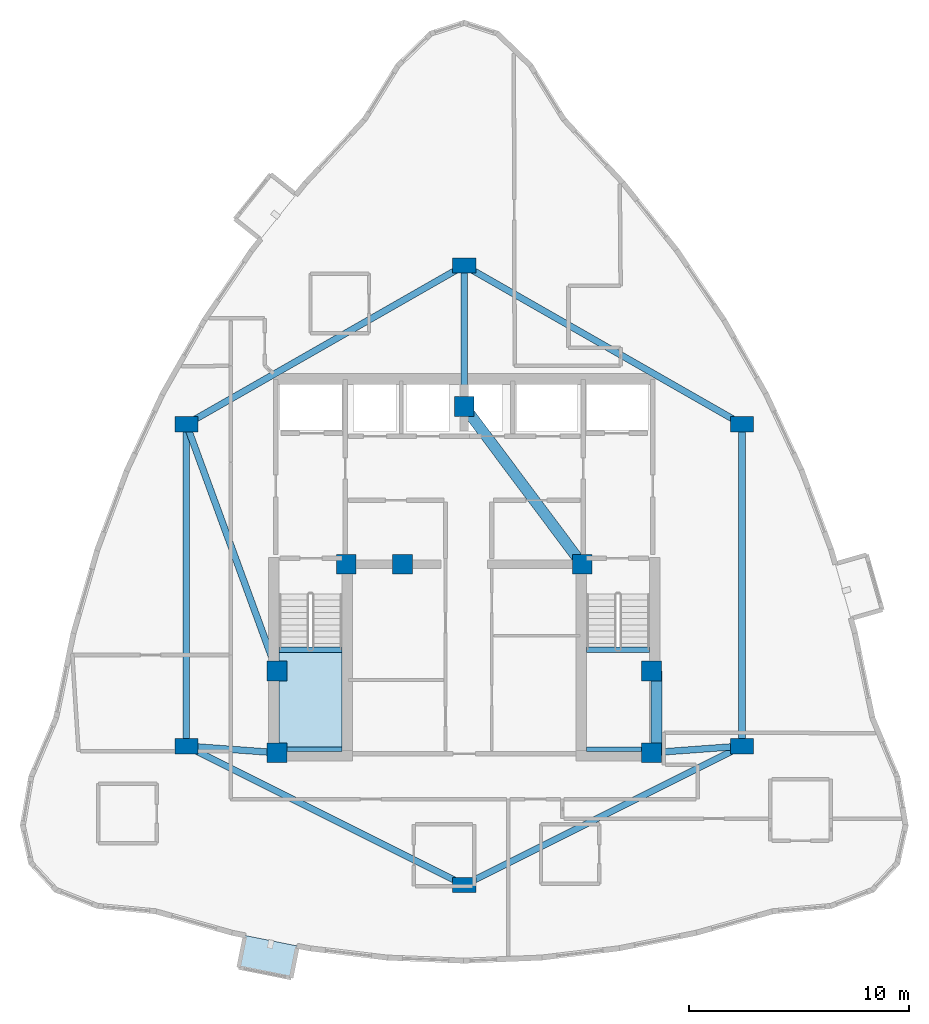
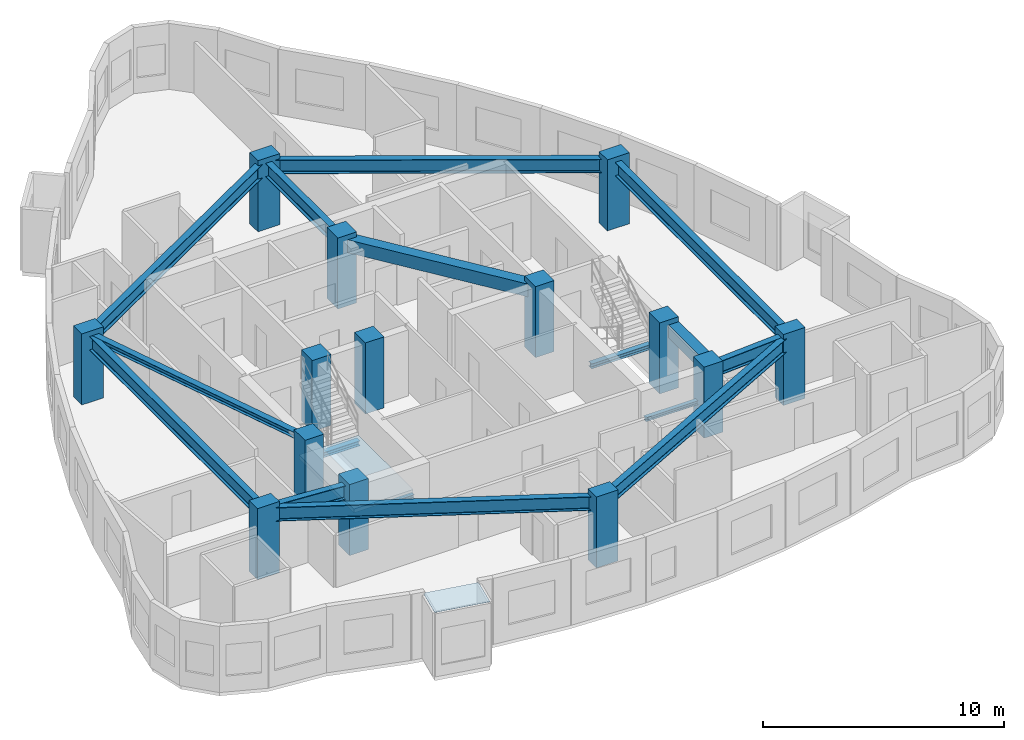
# One storey, part 1 of 12: 16 beams, 14 columns, 1 plate, 1 slab, 1 element without a shape of its own.
"""IFC4 building model written with IfcOpenShell, lengths in metres."""

from ifc_helpers import new_model, si_unit, direction, frame, origin, origin_2d, place, context, subcontext, project, spatial, polyline, rectangle, i_section, outline, extrude, material, layer, layer_set, material_profile, profile_set, type_object, element, aggregate, save


model = new_model("IFC4")

# Units and contexts
model_context = context("Model", 3, precision=1e-05, world=origin(), true_north=direction((0.0, 1.0)))
body_context = subcontext(model_context, "Body", "Model", "MODEL_VIEW")
ifc_project = project(units=[si_unit("LENGTHUNIT", "METRE"), si_unit("AREAUNIT", "SQUARE_METRE"), si_unit("VOLUMEUNIT", "CUBIC_METRE"), si_unit("PLANEANGLEUNIT", "RADIAN"), si_unit("MASSUNIT", "GRAM", prefix="KILO")], contexts=[model_context])

# Site, building, storey
site_placement = place(None, origin())
site = spatial("IfcSite", under=ifc_project, at=site_placement, CompositionType="ELEMENT")
building_placement = place(site_placement, origin())
building = spatial("IfcBuilding", under=site, at=building_placement, Name="Miruveldt Soraemaru", CompositionType="ELEMENT")
storey_placement = place(building_placement, frame((0.0, 0.0, 219.60009765625)))
storey = spatial("IfcBuildingStorey", under=building, at=storey_placement, Name="L60", CompositionType="ELEMENT", Elevation=219.60009765625)

# Columns
ifc_material_1 = material(Name="Concrete C50/60 (50 MPa)", Category="concrete")
ifc_material_profile_1 = material_profile(ifc_material_1, rectangle(XDim=0.89990234375, YDim=0.89990234375, at=origin_2d()), Name="Concrete C50/60 (50 MPa)", Category="concrete")
ifc_profile_set_1 = profile_set([ifc_material_profile_1], Name="Concrete C50/60 (50 MPa)")
column_type_1 = type_object("IfcColumnType", Name="COL-CORE-900", PredefinedType="COLUMN", material=ifc_profile_set_1)
for number, where, z_axis, x_axis, name in (
    (1, (35.5, 35.5, 0.0), (0.0, 0.0, 1.0), (1.0, 0.0, 0.0), "L60 Structural Column CC1"),
    (2, (38.64990234375, 44.050048828125, 0.0), (0.0, 0.0, 1.0), (1.0, 0.0, 0.0), "L60 Structural Column CC2"),
    (3, (52.5, 35.5, 0.0), (0.0, 0.0, 1.0), (1.0, 0.0, 0.0), "L60 Structural Column CC3"),
    (4, (52.5, 39.199951171875, 0.0), (0.0, 0.0, 1.0), (1.0, 0.0, 0.0), "L60 Structural Column CC4"),
    (5, (49.35009765625, 44.050048828125, 0.0), (0.0, 0.0, 1.0), (1.0, 0.0, 0.0), "L60 Structural Column CC5"),
    (6, (44.0, 51.199951171875, 0.0), (0.0, 0.0, 1.0), (1.0, 0.0, 0.0), "L60 Structural Column CC6"),
    (7, (35.5, 39.199951171875, 0.0), (0.0, 0.0, 1.0), (1.0, 0.0, 0.0), "L60 Structural Column CC7"),
    (8, (41.199951171875, 44.050048828125, 0.0), (0.0, 0.0, 1.0), (1.0, 0.0, 0.0), "L60 Structural Column CC8"),
):
    element("IfcColumn", number, at=place(storey_placement, frame(where, z_axis=z_axis, x_axis=x_axis)), inside=storey, type_object=column_type_1, Name=name, PredefinedType="COLUMN", context=body_context, shape_type="SweptSolid", body=[
        extrude(rectangle(XDim=0.89990234375, YDim=0.89990234375, at=origin_2d()), origin(), (0.0, 0.0, 1.0), 3.599853515625),
    ])
ifc_material_2 = material(Name="Concrete C60/75 (60 MPa)", Category="concrete")
ifc_material_profile_2 = material_profile(ifc_material_2, rectangle(XDim=1.050048828125, YDim=0.699951171875, at=origin_2d()), Name="Concrete C60/75 (60 MPa)", Category="concrete")
ifc_profile_set_2 = profile_set([ifc_material_profile_2], Name="Concrete C60/75 (60 MPa)")
column_type_2 = type_object("IfcColumnType", Name="COL-TW-Z3", PredefinedType="COLUMN", material=ifc_profile_set_2)
for number, where, z_axis, x_axis, name in (
    (9, (44.0, 57.60009765625, 0.0), (0.0, 0.0, 1.0), (1.0, 0.0, 0.0), "L60 Structural Column IR01"),
    (10, (56.60009765625, 50.39990234375, 0.0), (0.0, 0.0, 1.0), (1.0, 0.0, 0.0), "L60 Structural Column IR02"),
    (11, (56.60009765625, 35.800048828125, 0.0), (0.0, 0.0, 1.0), (1.0, 0.0, 0.0), "L60 Structural Column IR03"),
    (12, (44.0, 29.5, 0.0), (0.0, 0.0, 1.0), (1.0, 0.0, 0.0), "L60 Structural Column IR04"),
    (13, (31.39990234375, 35.800048828125, 0.0), (0.0, 0.0, 1.0), (1.0, 0.0, 0.0), "L60 Structural Column IR05"),
    (14, (31.39990234375, 50.39990234375, 0.0), (0.0, 0.0, 1.0), (1.0, 0.0, 0.0), "L60 Structural Column IR06"),
):
    element("IfcColumn", number, at=place(storey_placement, frame(where, z_axis=z_axis, x_axis=x_axis)), inside=storey, type_object=column_type_2, Name=name, PredefinedType="COLUMN", context=body_context, shape_type="SweptSolid", body=[
        extrude(rectangle(XDim=1.050048828125, YDim=0.699951171875, at=origin_2d()), origin(), (0.0, 0.0, 1.0), 3.599853515625),
    ])

# Beams
ifc_material_3 = material(Name="Steel SM355 (355 MPa)", Category="steel")
ifc_material_profile_3 = material_profile(ifc_material_3, i_section(OverallWidth=0.300048828125, OverallDepth=0.300048828125, WebThickness=0.010009765625, FlangeThickness=0.014892578125, FilletRadius=0.01806640625, at=origin_2d()), Name="Steel SM355 (355 MPa)", Category="steel")
ifc_profile_set_3 = profile_set([ifc_material_profile_3], Name="Steel SM355 (355 MPa)")
beam_type_1 = type_object("IfcBeamType", Name="BM-LNT-H300", PredefinedType="LINTEL", material=ifc_profile_set_3)
beam_1_placement = place(storey_placement, frame((31.39990234375, 50.39990234375, 3.19482421875), z_axis=(0.343770424598, -0.939053723262, 0.0), x_axis=(0.939053723262, 0.343770424598, 0.0)))
element("IfcBeam", 15, at=beam_1_placement, inside=storey, type_object=beam_type_1, Name="L60 West Lobby Lintel", PredefinedType="LINTEL", context=body_context, shape_type="SweptSolid", body=[
    extrude(i_section(OverallWidth=0.300048828125, OverallDepth=0.300048828125, WebThickness=0.010009765625, FlangeThickness=0.014892578125, FilletRadius=0.01806640625, at=origin_2d()), origin(), (0.0, 0.0, 1.0), 11.9267578125),
])
ifc_material_profile_4 = material_profile(ifc_material_1, rectangle(XDim=0.5, YDim=0.64990234375, at=origin_2d()), Name="Concrete C50/60 (50 MPa)", Category="concrete")
ifc_profile_set_4 = profile_set([ifc_material_profile_4], Name="Concrete C50/60 (50 MPa)")
beam_type_2 = type_object("IfcBeamType", Name="BM-RC-500x650", PredefinedType="BEAM", material=ifc_profile_set_4)
beam_2_placement = place(storey_placement, frame((52.72998046875, 35.5, 3.02001953125), z_axis=(0.0, 1.0, 0.0), x_axis=(-1.0, 0.0, 0.0)))
element("IfcBeam", 16, at=beam_2_placement, inside=storey, type_object=beam_type_2, Name="L60 Core Tie Beam 3", PredefinedType="BEAM", context=body_context, shape_type="SweptSolid", body=[
    extrude(rectangle(XDim=0.5, YDim=0.64990234375, at=origin_2d()), origin(), (0.0, 0.0, 1.0), 3.699951171875),
])
beam_3_placement = place(storey_placement, frame((49.35009765625, 44.050048828125, 3.02001953125), z_axis=(-0.599116023999, 0.800662219533, 0.0), x_axis=(-0.800662219533, -0.599116023999, 0.0)))
element("IfcBeam", 17, at=beam_3_placement, inside=storey, type_object=beam_type_2, Name="L60 Core Tie Beam 5", PredefinedType="BEAM", context=body_context, shape_type="SweptSolid", body=[
    extrude(rectangle(XDim=0.5, YDim=0.64990234375, at=origin_2d()), origin(), (0.0, 0.0, 1.0), 8.929931640625),
])
ifc_material_profile_5 = material_profile(ifc_material_3, i_section(OverallWidth=0.300048828125, OverallDepth=0.699951171875, WebThickness=0.012939453125, FlangeThickness=0.02392578125, FilletRadius=0.028076171875, at=origin_2d()), Name="Steel SM355 (355 MPa)", Category="steel")
ifc_profile_set_5 = profile_set([ifc_material_profile_5], Name="Steel SM355 (355 MPa)")
beam_type_3 = type_object("IfcBeamType", Name="BM-ST-H700", PredefinedType="BEAM", material=ifc_profile_set_5)
beam_4_placement = place(storey_placement, frame((44.0, 57.60009765625, 2.994873046875), z_axis=(0.868239001029, -0.496146185203, 0.0), x_axis=(0.496146185203, 0.868239001029, 0.0)))
element("IfcBeam", 18, at=beam_4_placement, inside=storey, type_object=beam_type_3, Name="L60 Inner Ring Girder 1", PredefinedType="BEAM", context=body_context, shape_type="SweptSolid", body=[
    extrude(i_section(OverallWidth=0.300048828125, OverallDepth=0.699951171875, WebThickness=0.012939453125, FlangeThickness=0.02392578125, FilletRadius=0.028076171875, at=origin_2d()), origin(), (0.0, 0.0, 1.0), 14.51220703125),
])
beam_5_placement = place(storey_placement, frame((44.0, 51.199951171875, 2.994873046875), z_axis=(0.0, 1.0, 0.0), x_axis=(-1.0, 0.0, 0.0)))
element("IfcBeam", 19, at=beam_5_placement, inside=storey, type_object=beam_type_3, Name="L60 Core-to-Inner Radial Girder 1", PredefinedType="BEAM", context=body_context, shape_type="SweptSolid", body=[
    extrude(i_section(OverallWidth=0.300048828125, OverallDepth=0.699951171875, WebThickness=0.012939453125, FlangeThickness=0.02392578125, FilletRadius=0.028076171875, at=origin_2d()), origin(), (0.0, 0.0, 1.0), 6.400146484375),
])
beam_6_placement = place(storey_placement, frame((56.60009765625, 50.39990234375, 2.994873046875), z_axis=(0.0, -1.0, 0.0), x_axis=(1.0, 0.0, 0.0)))
element("IfcBeam", 20, at=beam_6_placement, inside=storey, type_object=beam_type_3, Name="L60 Inner Ring Girder 2", PredefinedType="BEAM", context=body_context, shape_type="SweptSolid", body=[
    extrude(i_section(OverallWidth=0.300048828125, OverallDepth=0.699951171875, WebThickness=0.012939453125, FlangeThickness=0.02392578125, FilletRadius=0.028076171875, at=origin_2d()), origin(), (0.0, 0.0, 1.0), 14.599853515625),
])
beam_7_placement = place(storey_placement, frame((56.60009765625, 35.800048828125, 2.994873046875), z_axis=(-0.894427191, -0.4472135955, 0.0), x_axis=(0.4472135955, -0.894427191, 0.0)))
element("IfcBeam", 21, at=beam_7_placement, inside=storey, type_object=beam_type_3, Name="L60 Inner Ring Girder 3", PredefinedType="BEAM", context=body_context, shape_type="SweptSolid", body=[
    extrude(i_section(OverallWidth=0.300048828125, OverallDepth=0.699951171875, WebThickness=0.012939453125, FlangeThickness=0.02392578125, FilletRadius=0.028076171875, at=origin_2d()), origin(), (0.0, 0.0, 1.0), 14.08740234375),
])
beam_8_placement = place(storey_placement, frame((52.5, 35.5, 2.994873046875), z_axis=(0.997332985605, 0.072985723431, 0.0), x_axis=(-0.072985723431, 0.997332985605, 0.0)))
element("IfcBeam", 22, at=beam_8_placement, inside=storey, type_object=beam_type_3, Name="L60 Core-to-Inner Radial Girder 3", PredefinedType="BEAM", context=body_context, shape_type="SweptSolid", body=[
    extrude(i_section(OverallWidth=0.300048828125, OverallDepth=0.699951171875, WebThickness=0.012939453125, FlangeThickness=0.02392578125, FilletRadius=0.028076171875, at=origin_2d()), origin(), (0.0, 0.0, 1.0), 4.111083984375),
])
beam_9_placement = place(storey_placement, frame((44.0, 29.5, 2.994873046875), z_axis=(-0.894427191, 0.4472135955, 0.0), x_axis=(-0.4472135955, -0.894427191, 0.0)))
element("IfcBeam", 23, at=beam_9_placement, inside=storey, type_object=beam_type_3, Name="L60 Inner Ring Girder 4", PredefinedType="BEAM", context=body_context, shape_type="SweptSolid", body=[
    extrude(i_section(OverallWidth=0.300048828125, OverallDepth=0.699951171875, WebThickness=0.012939453125, FlangeThickness=0.02392578125, FilletRadius=0.028076171875, at=origin_2d()), origin(), (0.0, 0.0, 1.0), 14.08740234375),
])
beam_10_placement = place(storey_placement, frame((31.39990234375, 35.800048828125, 2.994873046875), z_axis=(0.0, 1.0, 0.0), x_axis=(-1.0, 0.0, 0.0)))
element("IfcBeam", 24, at=beam_10_placement, inside=storey, type_object=beam_type_3, Name="L60 Inner Ring Girder 5", PredefinedType="BEAM", context=body_context, shape_type="SweptSolid", body=[
    extrude(i_section(OverallWidth=0.300048828125, OverallDepth=0.699951171875, WebThickness=0.012939453125, FlangeThickness=0.02392578125, FilletRadius=0.028076171875, at=origin_2d()), origin(), (0.0, 0.0, 1.0), 14.599853515625),
])
beam_11_placement = place(storey_placement, frame((35.5, 35.5, 2.994873046875), z_axis=(-0.997332985605, 0.072985723431, 0.0), x_axis=(-0.072985723431, -0.997332985605, 0.0)))
element("IfcBeam", 25, at=beam_11_placement, inside=storey, type_object=beam_type_3, Name="L60 Core-to-Inner Radial Girder 5", PredefinedType="BEAM", context=body_context, shape_type="SweptSolid", body=[
    extrude(i_section(OverallWidth=0.300048828125, OverallDepth=0.699951171875, WebThickness=0.012939453125, FlangeThickness=0.02392578125, FilletRadius=0.028076171875, at=origin_2d()), origin(), (0.0, 0.0, 1.0), 4.111083984375),
])
beam_12_placement = place(storey_placement, frame((31.39990234375, 50.39990234375, 2.994873046875), z_axis=(0.868239001029, 0.496146185203, 0.0), x_axis=(-0.496146185203, 0.868239001029, 0.0)))
element("IfcBeam", 26, at=beam_12_placement, inside=storey, type_object=beam_type_3, Name="L60 Inner Ring Girder 6", PredefinedType="BEAM", context=body_context, shape_type="SweptSolid", body=[
    extrude(i_section(OverallWidth=0.300048828125, OverallDepth=0.699951171875, WebThickness=0.012939453125, FlangeThickness=0.02392578125, FilletRadius=0.028076171875, at=origin_2d()), origin(), (0.0, 0.0, 1.0), 14.51220703125),
])
ifc_material_profile_6 = material_profile(ifc_material_3, i_section(OverallWidth=0.199951171875, OverallDepth=0.199951171875, WebThickness=0.008056640625, FlangeThickness=0.011962890625, FilletRadius=0.012939453125, at=origin_2d()), Name="Steel SM355 (355 MPa)", Category="steel")
ifc_profile_set_6 = profile_set([ifc_material_profile_6], Name="Steel SM355 (355 MPa)")
beam_type_4 = type_object("IfcBeamType", Name="BM-ST-LND200", PredefinedType="BEAM", material=ifc_profile_set_6)
for number, where, z_axis, x_axis, name in (
    (27, (35.60009765625, 35.64990234375, 1.5), (1.0, 0.0, 0.0), (0.0, 1.0, 0.0), "L60 ST1 Landing End Beam 1B"),
    (28, (49.550048828125, 35.64990234375, 1.5), (1.0, 0.0, 0.0), (0.0, 1.0, 0.0), "L60 ST2 Landing End Beam 1B"),
):
    element("IfcBeam", number, at=place(storey_placement, frame(where, z_axis=z_axis, x_axis=x_axis)), inside=storey, type_object=beam_type_4, Name=name, PredefinedType="BEAM", context=body_context, shape_type="SweptSolid", body=[
        extrude(i_section(OverallWidth=0.199951171875, OverallDepth=0.199951171875, WebThickness=0.008056640625, FlangeThickness=0.011962890625, FilletRadius=0.012939453125, at=origin_2d()), origin(), (0.0, 0.0, 1.0), 2.849853515625),
    ])
ifc_material_profile_7 = material_profile(ifc_material_3, i_section(OverallWidth=0.25, OverallDepth=0.25, WebThickness=0.009033203125, FlangeThickness=0.013916015625, FilletRadius=0.01611328125, at=origin_2d()), Name="Steel SM355 (355 MPa)", Category="steel")
ifc_profile_set_7 = profile_set([ifc_material_profile_7], Name="Steel SM355 (355 MPa)")
beam_type_5 = type_object("IfcBeamType", Name="BM-ST-LND250", PredefinedType="BEAM", material=ifc_profile_set_7)
for number, where, z_axis, x_axis, name in (
    (29, (35.60009765625, 40.179931640625, 1.474853515625), (1.0, 0.0, 0.0), (0.0, 1.0, 0.0), "L60 ST1 Landing Support Beam 1A"),
    (30, (49.550048828125, 40.179931640625, 1.474853515625), (1.0, 0.0, 0.0), (0.0, 1.0, 0.0), "L60 ST2 Landing Support Beam 1A"),
):
    element("IfcBeam", number, at=place(storey_placement, frame(where, z_axis=z_axis, x_axis=x_axis)), inside=storey, type_object=beam_type_5, Name=name, PredefinedType="BEAM", context=body_context, shape_type="SweptSolid", body=[
        extrude(i_section(OverallWidth=0.25, OverallDepth=0.25, WebThickness=0.009033203125, FlangeThickness=0.013916015625, FilletRadius=0.01611328125, at=origin_2d()), origin(), (0.0, 0.0, 1.0), 2.849853515625),
    ])

# Plate
ifc_material_4 = material(Name="Standing-seam titanium-zinc sheet", Category="aluminium")
ifc_layer_1 = layer(ifc_material_4, 0.011962890625, Name="Standing-seam titanium-zinc sheet", Category="aluminium")
ifc_layer_set_1 = layer_set([ifc_layer_1], Name="Standing-seam titanium-zinc sheet")
plate_type = type_object("IfcPlateType", Name="PLT-ZINC-12", PredefinedType="SHEET", material=ifc_layer_set_1)
plate_placement = place(storey_placement, frame((0.0, 0.0, 3.19482421875)))
element("IfcPlate", 31, at=plate_placement, inside=storey, type_object=plate_type, Name="L60 Bay Window Zinc Hood Sheet 1", PredefinedType="SHEET", context=body_context, shape_type="SweptSolid", body=[
    extrude(outline(polyline([(34.05908203125, 27.2119140625), (36.43896484375, 26.73583984375), (36.148681640625, 25.28466796875), (33.768798828125, 25.760498046875), (34.05908203125, 27.2119140625)])), origin(), (0.0, 0.0, 1.0), 0.011962890625),
])

# Stair, slab
ifc_material_5 = material(Name="Concrete C40/50 (40 MPa)", Category="concrete")
stair_type = type_object("IfcStairType", Name="STAIR-DL-360", PredefinedType="HALF_TURN_STAIR", material=ifc_material_5)
stair_placement = place(storey_placement, origin())
stair = element("IfcStair", 32, at=stair_placement, inside=storey, type_object=stair_type, Name="L60 Protected Exit Stair ST-1", PredefinedType="HALF_TURN_STAIR")
ifc_layer_2 = layer(ifc_material_5, 0.199951171875, Name="Concrete C40/50 (40 MPa)", Category="concrete")
ifc_layer_set_2 = layer_set([ifc_layer_2], Name="Concrete C40/50 (40 MPa)")
slab_type = type_object("IfcSlabType", Name="SLAB-LAND-200", PredefinedType="LANDING", material=ifc_layer_set_2)
slab_placement = place(storey_placement, frame((0.0, 0.0, 1.599853515625)))
slab = element("IfcSlab", 33, at=slab_placement, type_object=slab_type, Name="ST-1 landing 1", PredefinedType="LANDING", context=body_context, shape_type="SweptSolid", body=[
    extrude(outline(polyline([(35.60009765625, 40.197998046875), (35.60009765625, 35.64990234375), (38.449951171875, 35.64990234375), (38.449951171875, 40.197998046875), (35.60009765625, 40.197998046875)])), origin(), (0.0, 0.0, 1.0), 0.199951171875),
])
aggregate(stair, [slab])

save(model, "model.ifc")
